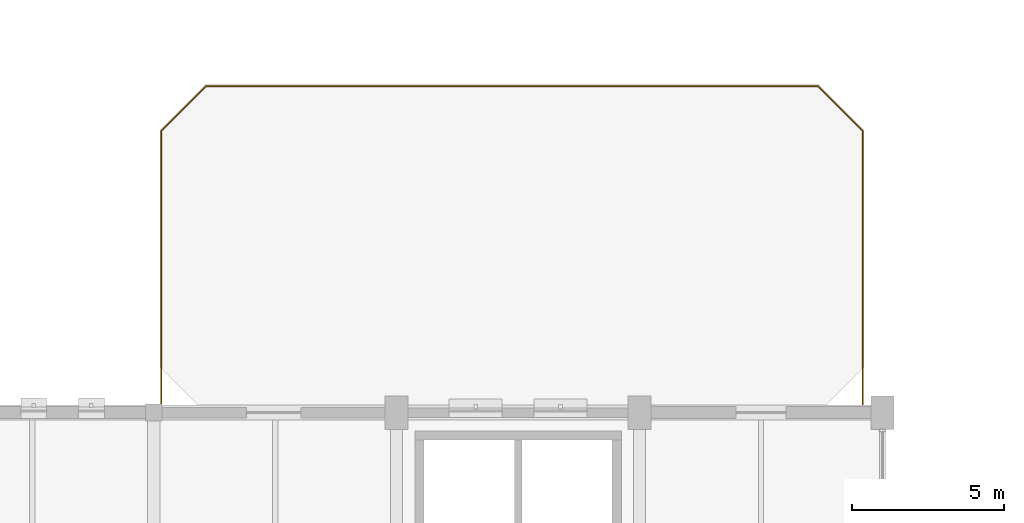
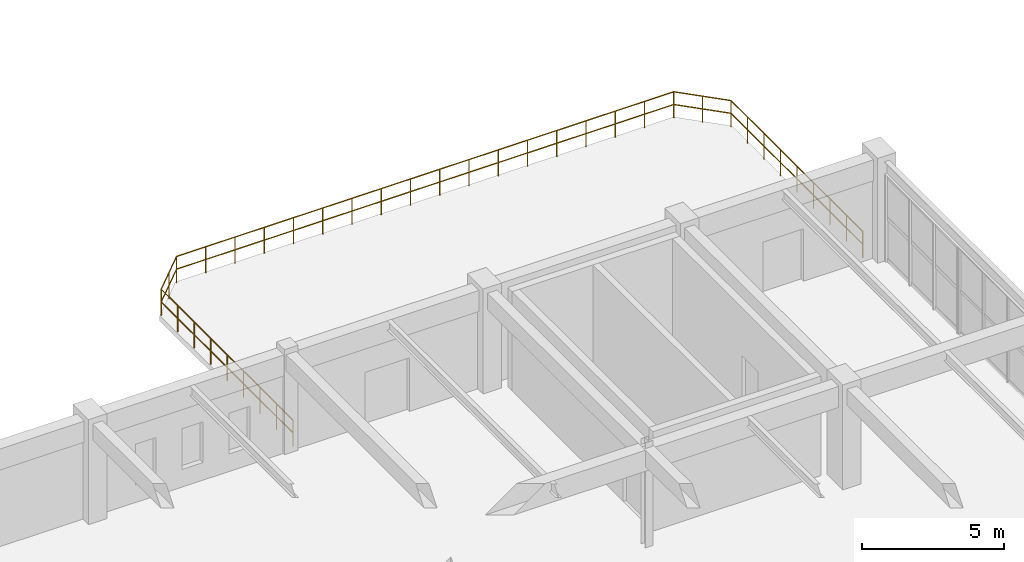
# One storey, part 46 of 48: 1 railing.
"""IFC4 building model written with IfcOpenShell, lengths in metres."""

from ifc_helpers import new_model, si_unit, direction, frame, origin, origin_2d, place, context, subcontext, project, spatial, circle, extrude, material, layer, layer_set, type_object, element, save


model = new_model("IFC4")

# Units and contexts
model_context = context("Model", 3, precision=1e-05, world=origin(), true_north=direction((0.0, 1.0)))
body_context = subcontext(model_context, "Body", "Model", "MODEL_VIEW")
ifc_project = project(units=[si_unit("LENGTHUNIT", "METRE"), si_unit("AREAUNIT", "SQUARE_METRE"), si_unit("VOLUMEUNIT", "CUBIC_METRE"), si_unit("PLANEANGLEUNIT", "RADIAN"), si_unit("MASSUNIT", "GRAM", prefix="KILO"), si_unit("POWERUNIT", "WATT"), si_unit("THERMODYNAMICTEMPERATUREUNIT", "KELVIN")], contexts=[model_context])

# Site, building, storey
site_placement = place(None, origin())
site = spatial("IfcSite", under=ifc_project, at=site_placement, CompositionType="ELEMENT")
building_placement = place(site_placement, origin())
building = spatial("IfcBuilding", under=site, at=building_placement, Name="Kelmbourne Parkland Aquatics Centre", CompositionType="ELEMENT")
storey_placement = place(building_placement, frame((0.0, 0.0, 14.699951171875)))
storey = spatial("IfcBuildingStorey", under=building, at=storey_placement, Name="L03", CompositionType="ELEMENT", Elevation=14.699951171875)

# Railing
ifc_material = material(Name="Grade 316 stainless steel and laminated glass balustrade", Category="glass")
ifc_layer = layer(ifc_material, 0.06005859375)
ifc_layer_set = layer_set([ifc_layer], Name="Grade 316 stainless steel and laminated glass balustrade")
railing_type = type_object("IfcRailingType", Name="RL-BL-114", PredefinedType="BALUSTRADE", material=ifc_layer_set)
railing_placement = place(storey_placement, frame((16.25, 46.419921875, 0.0)))
element("IfcRailing", 1, at=railing_placement, inside=storey, type_object=railing_type, Name="Safety balustrade BAL-TER-L03-V5", PredefinedType="BALUSTRADE", context=body_context, shape_type="SweptSolid", body=[
    extrude(circle(Radius=0.02392578125, at=origin_2d()), frame((0.0, 0.0, 1.11572265625), z_axis=(0.0, 1.0, 0.0), x_axis=(-1.0, 0.0, 0.0)), (0.0, 0.0, 1.0), 9.260009765625),
    extrude(circle(Radius=0.02392578125, at=origin_2d()), frame((0.0, 0.0, 0.56982421875), z_axis=(0.0, 1.0, 0.0), x_axis=(-1.0, 0.0, 0.0)), (0.0, 0.0, 1.0), 9.260009765625),
    extrude(circle(Radius=0.02392578125, at=origin_2d()), frame((0.0, 9.260009765625, 1.11572265625), z_axis=(0.707106781187, 0.707106781187, 0.0), x_axis=(-0.707106781187, 0.707106781187, 0.0)), (0.0, 0.0, 1.0), 2.078857421875),
    extrude(circle(Radius=0.02392578125, at=origin_2d()), frame((0.0, 9.260009765625, 0.56982421875), z_axis=(0.707106781187, 0.707106781187, 0.0), x_axis=(-0.707106781187, 0.707106781187, 0.0)), (0.0, 0.0, 1.0), 2.078857421875),
    extrude(circle(Radius=0.02392578125, at=origin_2d()), frame((1.469970703125, 10.72998046875, 1.11572265625), z_axis=(1.0, 0.0, 0.0), x_axis=(0.0, 1.0, 0.0)), (0.0, 0.0, 1.0), 20.159912109375),
    extrude(circle(Radius=0.02392578125, at=origin_2d()), frame((1.469970703125, 10.72998046875, 0.56982421875), z_axis=(1.0, 0.0, 0.0), x_axis=(0.0, 1.0, 0.0)), (0.0, 0.0, 1.0), 20.159912109375),
    extrude(circle(Radius=0.02392578125, at=origin_2d()), frame((21.6298828125, 10.72998046875, 1.11572265625), z_axis=(0.707165493918, -0.70704806358, 0.0), x_axis=(0.70704806358, 0.707165493918, 0.0)), (0.0, 0.0, 1.0), 2.0791015625),
    extrude(circle(Radius=0.02392578125, at=origin_2d()), frame((21.6298828125, 10.72998046875, 0.56982421875), z_axis=(0.707165493918, -0.70704806358, 0.0), x_axis=(0.70704806358, 0.707165493918, 0.0)), (0.0, 0.0, 1.0), 2.0791015625),
    extrude(circle(Radius=0.02392578125, at=origin_2d()), frame((23.10009765625, 9.260009765625, 1.11572265625), z_axis=(0.0, -1.0, 0.0), x_axis=(1.0, 0.0, 0.0)), (0.0, 0.0, 1.0), 9.260009765625),
    extrude(circle(Radius=0.02392578125, at=origin_2d()), frame((23.10009765625, 9.260009765625, 0.56982421875), z_axis=(0.0, -1.0, 0.0), x_axis=(1.0, 0.0, 0.0)), (0.0, 0.0, 1.0), 9.260009765625),
    extrude(circle(Radius=0.02099609375, at=origin_2d()), origin(), (0.0, 0.0, 1.0), 1.091796875),
    extrude(circle(Radius=0.02099609375, at=origin_2d()), frame((0.0, 1.157470703125, 0.0)), (0.0, 0.0, 1.0), 1.091796875),
    extrude(circle(Radius=0.02099609375, at=origin_2d()), frame((0.0, 2.31494140625, 0.0)), (0.0, 0.0, 1.0), 1.091796875),
    extrude(circle(Radius=0.02099609375, at=origin_2d()), frame((0.0, 3.472412109375, 0.0)), (0.0, 0.0, 1.0), 1.091796875),
    extrude(circle(Radius=0.02099609375, at=origin_2d()), frame((0.0, 4.6298828125, 0.0)), (0.0, 0.0, 1.0), 1.091796875),
    extrude(circle(Radius=0.02099609375, at=origin_2d()), frame((0.0, 5.78759765625, 0.0)), (0.0, 0.0, 1.0), 1.091796875),
    extrude(circle(Radius=0.02099609375, at=origin_2d()), frame((0.0, 6.945068359375, 0.0)), (0.0, 0.0, 1.0), 1.091796875),
    extrude(circle(Radius=0.02099609375, at=origin_2d()), frame((0.0, 8.1025390625, 0.0)), (0.0, 0.0, 1.0), 1.091796875),
    extrude(circle(Radius=0.02099609375, at=origin_2d()), frame((0.0, 9.260009765625, 0.0)), (0.0, 0.0, 1.0), 1.091796875),
    extrude(circle(Radius=0.02099609375, at=origin_2d()), frame((0.73486328125, 9.9951171875, 0.0)), (0.0, 0.0, 1.0), 1.091796875),
    extrude(circle(Radius=0.02099609375, at=origin_2d()), frame((1.469970703125, 10.72998046875, 0.0)), (0.0, 0.0, 1.0), 1.091796875),
    extrude(circle(Radius=0.02099609375, at=origin_2d()), frame((2.65576171875, 10.72998046875, 0.0)), (0.0, 0.0, 1.0), 1.091796875),
    extrude(circle(Radius=0.02099609375, at=origin_2d()), frame((3.841796875, 10.72998046875, 0.0)), (0.0, 0.0, 1.0), 1.091796875),
    extrude(circle(Radius=0.02099609375, at=origin_2d()), frame((5.027587890625, 10.72998046875, 0.0)), (0.0, 0.0, 1.0), 1.091796875),
    extrude(circle(Radius=0.02099609375, at=origin_2d()), frame((6.21337890625, 10.72998046875, 0.0)), (0.0, 0.0, 1.0), 1.091796875),
    extrude(circle(Radius=0.02099609375, at=origin_2d()), frame((7.3994140625, 10.72998046875, 0.0)), (0.0, 0.0, 1.0), 1.091796875),
    extrude(circle(Radius=0.02099609375, at=origin_2d()), frame((8.585205078125, 10.72998046875, 0.0)), (0.0, 0.0, 1.0), 1.091796875),
    extrude(circle(Radius=0.02099609375, at=origin_2d()), frame((9.77099609375, 10.72998046875, 0.0)), (0.0, 0.0, 1.0), 1.091796875),
    extrude(circle(Radius=0.02099609375, at=origin_2d()), frame((10.95703125, 10.72998046875, 0.0)), (0.0, 0.0, 1.0), 1.091796875),
    extrude(circle(Radius=0.02099609375, at=origin_2d()), frame((12.142822265625, 10.72998046875, 0.0)), (0.0, 0.0, 1.0), 1.091796875),
    extrude(circle(Radius=0.02099609375, at=origin_2d()), frame((13.328857421875, 10.72998046875, 0.0)), (0.0, 0.0, 1.0), 1.091796875),
    extrude(circle(Radius=0.02099609375, at=origin_2d()), frame((14.5146484375, 10.72998046875, 0.0)), (0.0, 0.0, 1.0), 1.091796875),
    extrude(circle(Radius=0.02099609375, at=origin_2d()), frame((15.700439453125, 10.72998046875, 0.0)), (0.0, 0.0, 1.0), 1.091796875),
    extrude(circle(Radius=0.02099609375, at=origin_2d()), frame((16.886474609375, 10.72998046875, 0.0)), (0.0, 0.0, 1.0), 1.091796875),
    extrude(circle(Radius=0.02099609375, at=origin_2d()), frame((18.072265625, 10.72998046875, 0.0)), (0.0, 0.0, 1.0), 1.091796875),
    extrude(circle(Radius=0.02099609375, at=origin_2d()), frame((19.258056640625, 10.72998046875, 0.0)), (0.0, 0.0, 1.0), 1.091796875),
    extrude(circle(Radius=0.02099609375, at=origin_2d()), frame((20.444091796875, 10.72998046875, 0.0)), (0.0, 0.0, 1.0), 1.091796875),
    extrude(circle(Radius=0.02099609375, at=origin_2d()), frame((21.6298828125, 10.72998046875, 0.0)), (0.0, 0.0, 1.0), 1.091796875),
    extrude(circle(Radius=0.02099609375, at=origin_2d()), frame((22.364990234375, 9.9951171875, 0.0)), (0.0, 0.0, 1.0), 1.091796875),
    extrude(circle(Radius=0.02099609375, at=origin_2d()), frame((23.10009765625, 9.260009765625, 0.0)), (0.0, 0.0, 1.0), 1.091796875),
    extrude(circle(Radius=0.02099609375, at=origin_2d()), frame((23.10009765625, 8.1025390625, 0.0)), (0.0, 0.0, 1.0), 1.091796875),
    extrude(circle(Radius=0.02099609375, at=origin_2d()), frame((23.10009765625, 6.945068359375, 0.0)), (0.0, 0.0, 1.0), 1.091796875),
    extrude(circle(Radius=0.02099609375, at=origin_2d()), frame((23.10009765625, 5.78759765625, 0.0)), (0.0, 0.0, 1.0), 1.091796875),
    extrude(circle(Radius=0.02099609375, at=origin_2d()), frame((23.10009765625, 4.6298828125, 0.0)), (0.0, 0.0, 1.0), 1.091796875),
    extrude(circle(Radius=0.02099609375, at=origin_2d()), frame((23.10009765625, 3.472412109375, 0.0)), (0.0, 0.0, 1.0), 1.091796875),
    extrude(circle(Radius=0.02099609375, at=origin_2d()), frame((23.10009765625, 2.31494140625, 0.0)), (0.0, 0.0, 1.0), 1.091796875),
    extrude(circle(Radius=0.02099609375, at=origin_2d()), frame((23.10009765625, 1.157470703125, 0.0)), (0.0, 0.0, 1.0), 1.091796875),
    extrude(circle(Radius=0.02099609375, at=origin_2d()), frame((23.10009765625, 0.0, 0.0)), (0.0, 0.0, 1.0), 1.091796875),
])

save(model, "model.ifc")
